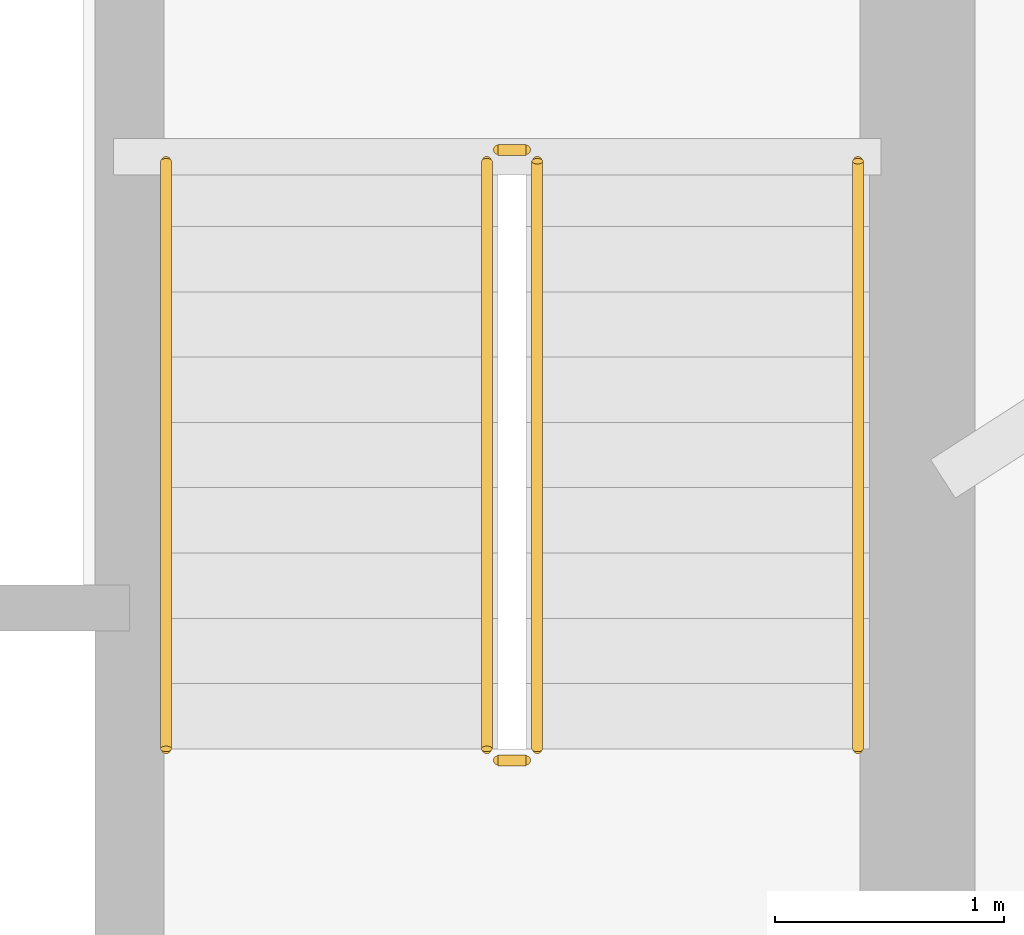
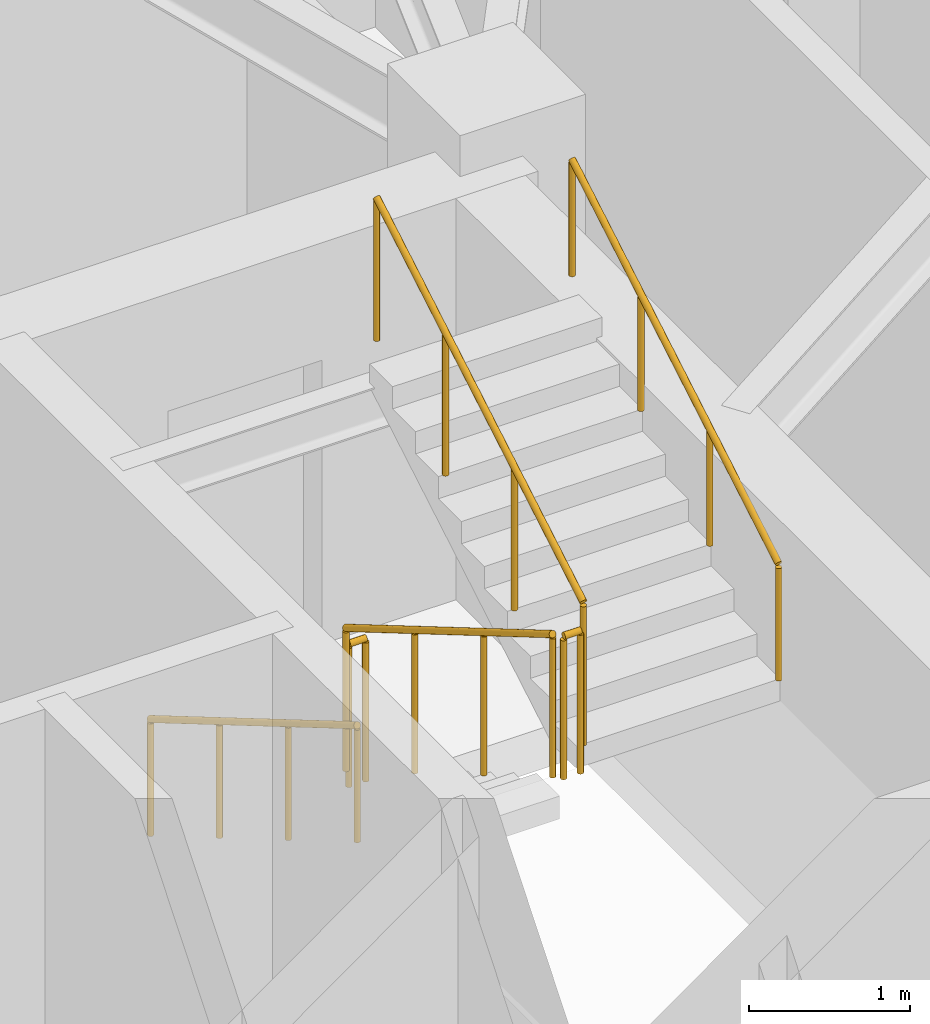
# One storey, part 17 of 17: 6 railings.
"""IFC4 building model written with IfcOpenShell, lengths in metres."""

from ifc_helpers import new_model, si_unit, direction, frame, origin, origin_2d, place, context, subcontext, project, spatial, circle, extrude, material, type_object, element, save


model = new_model("IFC4")

# Units and contexts
model_context = context("Model", 3, precision=1e-05, world=origin(), true_north=direction((0.0, 1.0)))
body_context = subcontext(model_context, "Body", "Model", "MODEL_VIEW")
ifc_project = project(units=[si_unit("LENGTHUNIT", "METRE"), si_unit("AREAUNIT", "SQUARE_METRE"), si_unit("VOLUMEUNIT", "CUBIC_METRE"), si_unit("PLANEANGLEUNIT", "RADIAN"), si_unit("MASSUNIT", "GRAM", prefix="KILO")], contexts=[model_context])

# Site, building, storey
site_placement = place(None, origin())
site = spatial("IfcSite", under=ifc_project, at=site_placement, CompositionType="ELEMENT")
building_placement = place(site_placement, origin())
building = spatial("IfcBuilding", under=site, at=building_placement, Name="Qobustan Lattice House", CompositionType="ELEMENT")
storey_placement = place(building_placement, frame((0.0, 0.0, 157.800048828125)))
storey = spatial("IfcBuildingStorey", under=building, at=storey_placement, Name="L44", CompositionType="ELEMENT", Elevation=157.800048828125)

# Railings
ifc_material_1 = material(Name="Brushed stainless steel handrail", Category="steel")
railing_type_1 = type_object("IfcRailingType", Name="RAL-HR-920", PredefinedType="HANDRAIL", material=ifc_material_1)
railing_1_placement = place(storey_placement, frame((15.179931640625, 3.5, 0.16748046875)))
element("IfcRailing", 1, at=railing_1_placement, inside=storey, type_object=railing_type_1, Name="L44 ST-E1 stair handrail 1", PredefinedType="HANDRAIL", context=body_context, shape_type="SweptSolid", body=[
    extrude(circle(Radius=0.02392578125, at=origin_2d()), frame((0.0, 0.0, 0.8759765625), z_axis=(0.0, -0.862113467892, 0.50671527358), x_axis=(1.0, 0.0, 0.0)), (0.0, 0.0, 1.0), 2.97509765625),
    extrude(circle(Radius=0.02099609375, at=origin_2d()), origin(), (0.0, 0.0, 1.0), 0.851806640625),
    extrude(circle(Radius=0.02099609375, at=origin_2d()), frame((0.0, -0.85498046875, 0.50244140625)), (0.0, 0.0, 1.0), 0.851806640625),
    extrude(circle(Radius=0.02099609375, at=origin_2d()), frame((0.0, -1.7099609375, 1.005126953125)), (0.0, 0.0, 1.0), 0.851806640625),
    extrude(circle(Radius=0.02099609375, at=origin_2d()), frame((0.0, -2.56494140625, 1.507568359375)), (0.0, 0.0, 1.0), 0.851806640625),
])
railing_2_placement = place(storey_placement, frame((18.199951171875, 0.93505859375, 1.842529296875)))
element("IfcRailing", 2, at=railing_2_placement, inside=storey, type_object=railing_type_1, Name="L44 ST-E1 stair handrail 2", PredefinedType="HANDRAIL", context=body_context, shape_type="SweptSolid", body=[
    extrude(circle(Radius=0.02392578125, at=origin_2d()), frame((0.0, 0.0, 0.8759765625), z_axis=(0.0, 0.862149314443, 0.506654280161), x_axis=(-1.0, 0.0, 0.0)), (0.0, 0.0, 1.0), 2.97509765625),
    extrude(circle(Radius=0.02099609375, at=origin_2d()), origin(), (0.0, 0.0, 1.0), 0.851806640625),
    extrude(circle(Radius=0.02099609375, at=origin_2d()), frame((0.0, 0.85498046875, 0.50244140625)), (0.0, 0.0, 1.0), 0.851806640625),
    extrude(circle(Radius=0.02099609375, at=origin_2d()), frame((0.0, 1.7099609375, 1.0048828125)), (0.0, 0.0, 1.0), 0.851806640625),
    extrude(circle(Radius=0.02099609375, at=origin_2d()), frame((0.0, 2.56494140625, 1.50732421875)), (0.0, 0.0, 1.0), 0.851806640625),
])
ifc_material_2 = material(Name="Painted galvanized steel guardrail", Category="steel")
railing_type_2 = type_object("IfcRailingType", Name="RAL-STG-1150", PredefinedType="GUARDRAIL", material=ifc_material_2)
railing_3_placement = place(storey_placement, frame((16.580078125, 3.5, 0.16748046875)))
element("IfcRailing", 3, at=railing_3_placement, inside=storey, type_object=railing_type_2, Name="L44 ST-E1 stair guard 1", PredefinedType="GUARDRAIL", context=body_context, shape_type="SweptSolid", body=[
    extrude(circle(Radius=0.02392578125, at=origin_2d()), frame((0.0, 0.0, 1.076171875), z_axis=(0.0, -0.862113467892, 0.50671527358), x_axis=(1.0, 0.0, 0.0)), (0.0, 0.0, 1.0), 2.97509765625),
    extrude(circle(Radius=0.02099609375, at=origin_2d()), origin(), (0.0, 0.0, 1.0), 1.052001953125),
    extrude(circle(Radius=0.02099609375, at=origin_2d()), frame((0.0, -0.85498046875, 0.50244140625)), (0.0, 0.0, 1.0), 1.052001953125),
    extrude(circle(Radius=0.02099609375, at=origin_2d()), frame((0.0, -1.7099609375, 1.005126953125)), (0.0, 0.0, 1.0), 1.052001953125),
    extrude(circle(Radius=0.02099609375, at=origin_2d()), frame((0.0, -2.56494140625, 1.507568359375)), (0.0, 0.0, 1.0), 1.052001953125),
])
railing_4_placement = place(storey_placement, frame((16.6298828125, 0.885009765625, 1.675048828125)))
element("IfcRailing", 4, at=railing_4_placement, inside=storey, type_object=railing_type_2, Name="L44 ST-E1 stair guard 2", PredefinedType="GUARDRAIL", context=body_context, shape_type="SweptSolid", body=[
    extrude(circle(Radius=0.02392578125, at=origin_2d()), frame((0.0, 0.0, 1.076171875), z_axis=(1.0, 0.0, 0.0), x_axis=(0.0, 1.0, 0.0)), (0.0, 0.0, 1.0), 0.1201171875),
    extrude(circle(Radius=0.02099609375, at=origin_2d()), origin(), (0.0, 0.0, 1.0), 1.052001953125),
    extrude(circle(Radius=0.02099609375, at=origin_2d()), frame((0.1201171875, 0.0, 0.0)), (0.0, 0.0, 1.0), 1.052001953125),
])
railing_5_placement = place(storey_placement, frame((16.800048828125, 0.93505859375, 1.842529296875)))
element("IfcRailing", 5, at=railing_5_placement, inside=storey, type_object=railing_type_2, Name="L44 ST-E1 stair guard 3", PredefinedType="GUARDRAIL", context=body_context, shape_type="SweptSolid", body=[
    extrude(circle(Radius=0.02392578125, at=origin_2d()), frame((0.0, 0.0, 1.076171875), z_axis=(0.0, 0.862149314443, 0.506654280161), x_axis=(-1.0, 0.0, 0.0)), (0.0, 0.0, 1.0), 2.97509765625),
    extrude(circle(Radius=0.02099609375, at=origin_2d()), origin(), (0.0, 0.0, 1.0), 1.052001953125),
    extrude(circle(Radius=0.02099609375, at=origin_2d()), frame((0.0, 0.85498046875, 0.50244140625)), (0.0, 0.0, 1.0), 1.052001953125),
    extrude(circle(Radius=0.02099609375, at=origin_2d()), frame((0.0, 1.7099609375, 1.0048828125)), (0.0, 0.0, 1.0), 1.052001953125),
    extrude(circle(Radius=0.02099609375, at=origin_2d()), frame((0.0, 2.56494140625, 1.50732421875)), (0.0, 0.0, 1.0), 1.052001953125),
])
railing_6_placement = place(storey_placement, frame((16.6298828125, 3.550048828125, 0.0)))
element("IfcRailing", 6, at=railing_6_placement, inside=storey, type_object=railing_type_2, Name="L44 ST-E1 stair guard 4", PredefinedType="GUARDRAIL", context=body_context, shape_type="SweptSolid", body=[
    extrude(circle(Radius=0.02392578125, at=origin_2d()), frame((0.0, 0.0, 1.076171875), z_axis=(1.0, 0.0, 0.0), x_axis=(0.0, 1.0, 0.0)), (0.0, 0.0, 1.0), 0.1201171875),
    extrude(circle(Radius=0.02099609375, at=origin_2d()), origin(), (0.0, 0.0, 1.0), 1.052001953125),
    extrude(circle(Radius=0.02099609375, at=origin_2d()), frame((0.1201171875, 0.0, 0.0)), (0.0, 0.0, 1.0), 1.052001953125),
])

save(model, "model.ifc")
